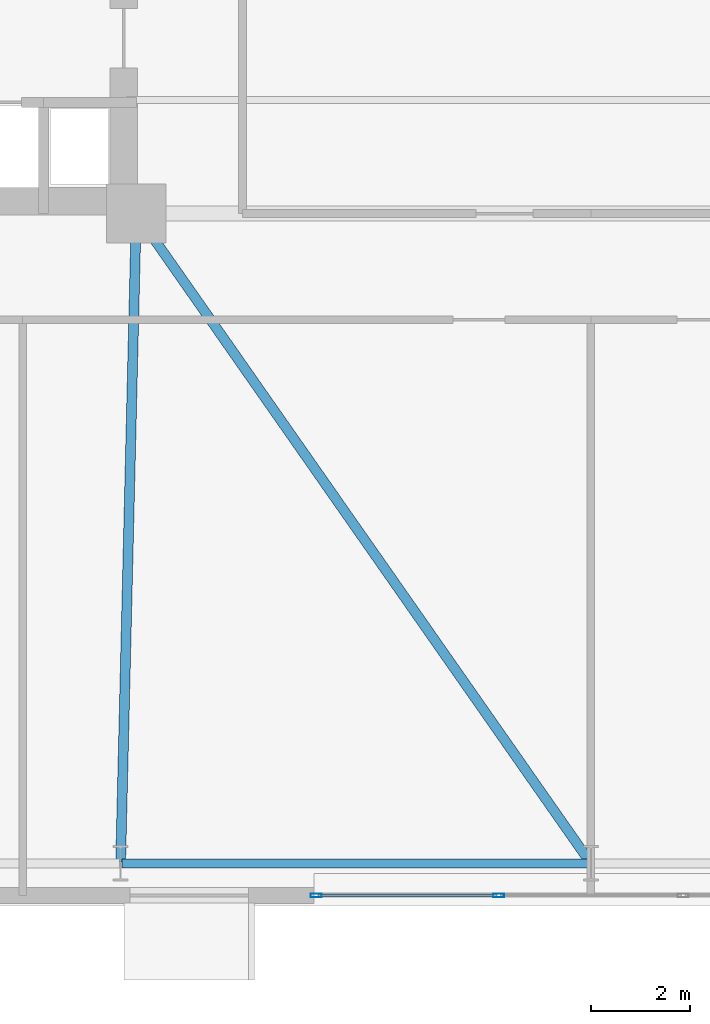
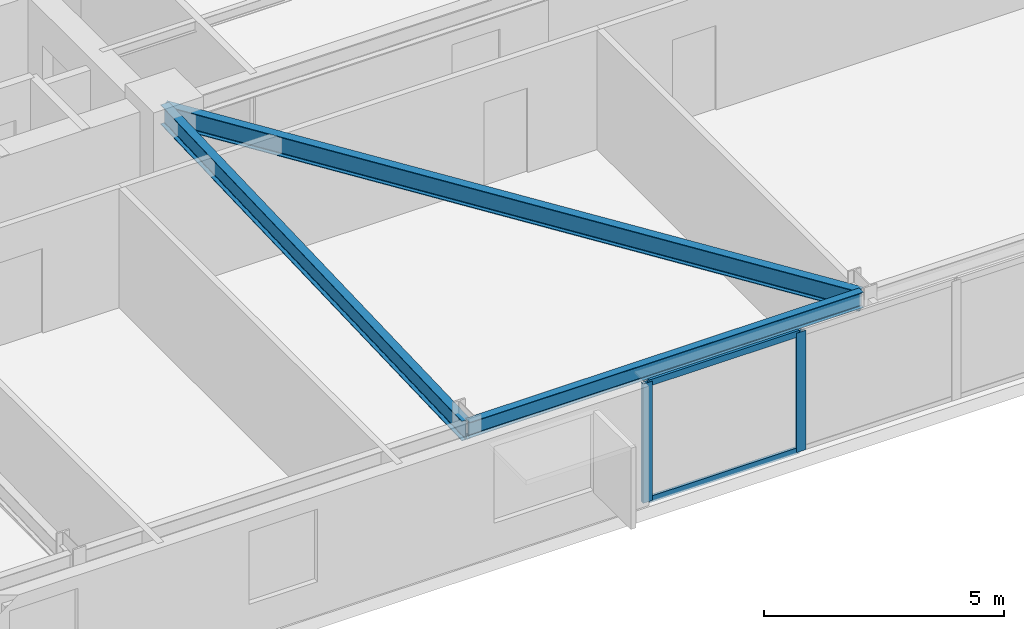
# One storey, part 6 of 26: 4 members, 3 beams, 1 element without a shape of its own.
"""IFC4 building model written with IfcOpenShell, lengths in metres."""

from ifc_helpers import new_model, si_unit, direction, frame, origin, origin_2d, place, context, subcontext, project, spatial, hollow_rectangle, i_section, extrude, material, layer, layer_set, material_profile, profile_set, type_object, element, aggregate, save


model = new_model("IFC4")

# Units and contexts
model_context = context("Model", 3, precision=1e-05, world=origin(), true_north=direction((0.0, 1.0)))
body_context = subcontext(model_context, "Body", "Model", "MODEL_VIEW")
ifc_project = project(units=[si_unit("LENGTHUNIT", "METRE"), si_unit("AREAUNIT", "SQUARE_METRE"), si_unit("VOLUMEUNIT", "CUBIC_METRE"), si_unit("PLANEANGLEUNIT", "RADIAN"), si_unit("MASSUNIT", "GRAM", prefix="KILO")], contexts=[model_context])

# Site, building, storey
site_placement = place(None, origin())
site = spatial("IfcSite", under=ifc_project, at=site_placement, CompositionType="ELEMENT")
building_placement = place(site_placement, origin())
building = spatial("IfcBuilding", under=site, at=building_placement, Name="Qobustan Lattice House", CompositionType="ELEMENT")
storey_placement = place(building_placement, frame((0.0, 0.0, 47.10009765625)))
storey = spatial("IfcBuildingStorey", under=building, at=storey_placement, Name="L12", CompositionType="ELEMENT", Elevation=47.10009765625)

# Beams
ifc_material_1 = material(Name="Steel S355", Category="steel")
ifc_material_profile_1 = material_profile(ifc_material_1, i_section(OverallWidth=0.199951171875, OverallDepth=0.5, WebThickness=0.01025390625, FlangeThickness=0.01611328125, FilletRadius=0.02099609375, at=origin_2d()), Name="IPE500")
ifc_profile_set_1 = profile_set([ifc_material_profile_1], Name="Steel S355")
beam_type_1 = type_object("IfcBeamType", Name="BM-FLG-IPE500", PredefinedType="USERDEFINED", material=ifc_profile_set_1)
beam_1_placement = place(storey_placement, frame((-9.51611328125, -18.72509765625, 2.784912109375), z_axis=(0.024071445657, 0.999710240772, 0.0), x_axis=(-0.999710240772, 0.024071445657, 0.0)))
element("IfcBeam", 1, at=beam_1_placement, inside=storey, type_object=beam_type_1, Name="L12 primary floor girder RAD-S3", ObjectType="GIRDER", PredefinedType="USERDEFINED", context=body_context, shape_type="SweptSolid", body=[
    extrude(i_section(OverallWidth=0.199951171875, OverallDepth=0.5, WebThickness=0.01025390625, FlangeThickness=0.01611328125, FilletRadius=0.02099609375, at=origin_2d()), origin(), (0.0, 0.0, 1.0), 13.10400390625),
])
beam_2_placement = place(storey_placement, frame((-0.014404296875, -18.7294921875, 2.784912109375), z_axis=(-0.57325954206, 0.819373844736, 0.0), x_axis=(-0.819373844736, -0.57325954206, 0.0)))
element("IfcBeam", 2, at=beam_2_placement, inside=storey, type_object=beam_type_1, Name="L12 primary floor girder RAD-S4", ObjectType="GIRDER", PredefinedType="USERDEFINED", context=body_context, shape_type="SweptSolid", body=[
    extrude(i_section(OverallWidth=0.199951171875, OverallDepth=0.5, WebThickness=0.01025390625, FlangeThickness=0.01611328125, FilletRadius=0.02099609375, at=origin_2d()), origin(), (0.0, 0.0, 1.0), 15.998779296875),
])
ifc_material_2 = material(Name="Steel S355", Category="steel")
ifc_material_profile_2 = material_profile(ifc_material_2, i_section(OverallWidth=0.179931640625, OverallDepth=0.39990234375, WebThickness=0.008544921875, FlangeThickness=0.013427734375, FilletRadius=0.02099609375, at=origin_2d()), Name="IPE400")
ifc_profile_set_2 = profile_set([ifc_material_profile_2], Name="Steel S355")
beam_type_2 = type_object("IfcBeamType", Name="BM-SPD-IPE400", PredefinedType="SPANDREL", material=ifc_profile_set_2)
beam_3_placement = place(storey_placement, frame((-9.49169921875, -18.75, 2.8349609375), z_axis=(1.0, 0.0, 0.0), x_axis=(0.0, 1.0, 0.0)))
element("IfcBeam", 3, at=beam_3_placement, inside=storey, type_object=beam_type_2, Name="L12 perimeter spandrel S3-S4", PredefinedType="SPANDREL", context=body_context, shape_type="SweptSolid", body=[
    extrude(i_section(OverallWidth=0.179931640625, OverallDepth=0.39990234375, WebThickness=0.008544921875, FlangeThickness=0.013427734375, FilletRadius=0.02099609375, at=origin_2d()), origin(), (0.0, 0.0, 1.0), 9.466796875),
])

# Curtain wall, members
ifc_material_3 = material(Name="Anodised aluminium and low-E glazing", Category="aluminium")
ifc_layer = layer(ifc_material_3, 0.219970703125)
ifc_layer_set = layer_set([ifc_layer], Name="Anodised aluminium and low-E glazing")
curtain_wall_type = type_object("IfcCurtainWallType", Name="CW-IWN-01", PredefinedType="USERDEFINED", material=ifc_layer_set)
curtain_wall_placement = place(storey_placement, origin())
curtain_wall = element("IfcCurtainWall", 4, at=curtain_wall_placement, inside=storey, type_object=curtain_wall_type, Name="L12 IWAN-1 walnut-lined iwan curtain wall", ObjectType="CURTAIN WALL", PredefinedType="USERDEFINED")
ifc_material_4 = material(Name="Anodised aluminium EN AW-6063 T6", Category="aluminium")
ifc_material_profile_3 = material_profile(ifc_material_4, hollow_rectangle(XDim=0.080078125, YDim=0.219970703125, WallThickness=0.0048828125, at=origin_2d()), Name="CWM-220x80")
ifc_profile_set_3 = profile_set([ifc_material_profile_3], Name="Anodised aluminium EN AW-6063 T6")
member_type_1 = type_object("IfcMemberType", Name="CWM-MAIN-220", PredefinedType="MULLION", material=ifc_profile_set_3)
member_1_placement = place(storey_placement, frame((-1.86669921875, -19.39990234375, 0.0), z_axis=(0.0, 0.0, 1.0), x_axis=(0.0, -1.0, 0.0)))
member_1 = element("IfcMember", 5, at=member_1_placement, type_object=member_type_1, Name="CW-IW mullion 3", PredefinedType="MULLION", context=body_context, shape_type="SweptSolid", body=[
    extrude(hollow_rectangle(XDim=0.080078125, YDim=0.219970703125, WallThickness=0.0048828125, at=origin_2d()), origin(), (0.0, 0.0, 1.0), 3.034912109375),
])
member_2_placement = place(storey_placement, frame((-5.56005859375, -19.39990234375, 0.0), z_axis=(0.0, 0.0, 1.0), x_axis=(0.0, -1.0, 0.0)))
member_2 = element("IfcMember", 6, at=member_2_placement, type_object=member_type_1, Name="CW-IW mullion 4", PredefinedType="MULLION", context=body_context, shape_type="SweptSolid", body=[
    extrude(hollow_rectangle(XDim=0.080078125, YDim=0.219970703125, WallThickness=0.0048828125, at=origin_2d()), origin(), (0.0, 0.0, 1.0), 3.034912109375),
])
ifc_material_5 = material(Name="Anodised aluminium EN AW-6063 T6", Category="aluminium")
ifc_material_profile_4 = material_profile(ifc_material_5, hollow_rectangle(XDim=0.06494140625, YDim=0.159912109375, WallThickness=0.00390625, at=origin_2d()), Name="CWT-160x65")
ifc_profile_set_4 = profile_set([ifc_material_profile_4], Name="Anodised aluminium EN AW-6063 T6")
member_type_2 = type_object("IfcMemberType", Name="CWT-HOR-160", PredefinedType="USERDEFINED", material=ifc_profile_set_4)
member_3_placement = place(storey_placement, frame((-1.90673828125, -19.39990234375, 0.032470703125), z_axis=(-1.0, 0.0, 0.0), x_axis=(0.0, -1.0, 0.0)))
member_3 = element("IfcMember", 7, at=member_3_placement, type_object=member_type_2, Name="CW-IW transom 3.1", ObjectType="TRANSOM", PredefinedType="USERDEFINED", context=body_context, shape_type="SweptSolid", body=[
    extrude(hollow_rectangle(XDim=0.06494140625, YDim=0.159912109375, WallThickness=0.00390625, at=origin_2d()), origin(), (0.0, 0.0, 1.0), 3.61328125),
])
member_4_placement = place(storey_placement, frame((-1.90673828125, -19.39990234375, 3.00244140625), z_axis=(-1.0, 0.0, 0.0), x_axis=(0.0, -1.0, 0.0)))
member_4 = element("IfcMember", 8, at=member_4_placement, type_object=member_type_2, Name="CW-IW transom 3.2", ObjectType="TRANSOM", PredefinedType="USERDEFINED", context=body_context, shape_type="SweptSolid", body=[
    extrude(hollow_rectangle(XDim=0.06494140625, YDim=0.159912109375, WallThickness=0.00390625, at=origin_2d()), origin(), (0.0, 0.0, 1.0), 3.61328125),
])
aggregate(curtain_wall, [member_1, member_2, member_3, member_4])

save(model, "model.ifc")
